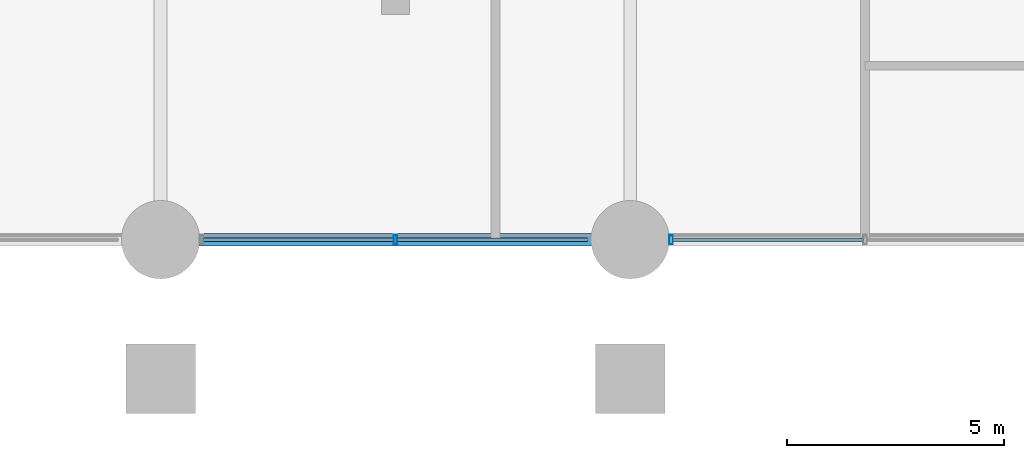
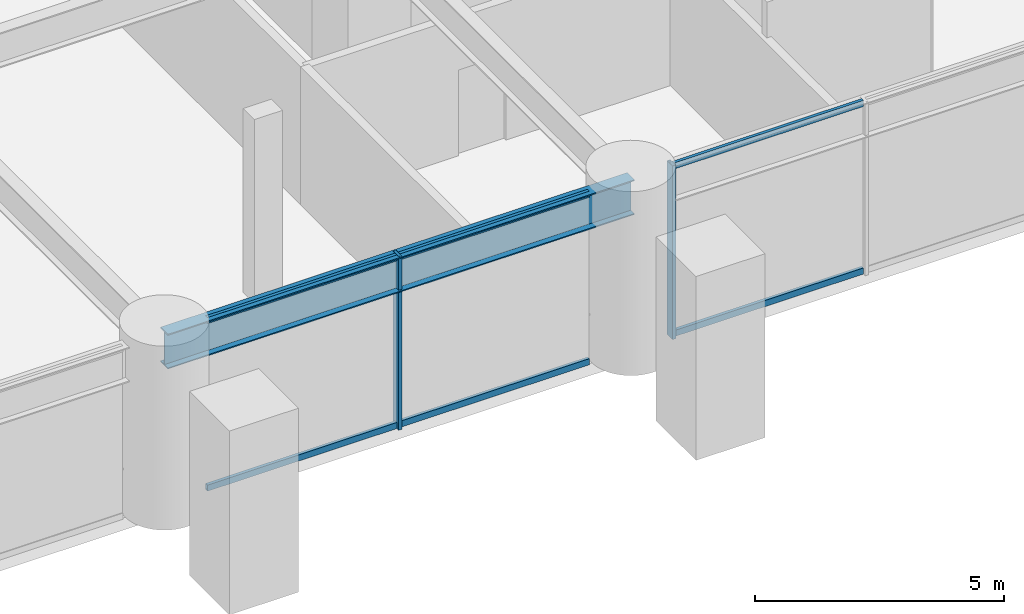
# One storey, part 3 of 31: 8 members, 1 beam, 1 element without a shape of its own.
"""IFC4 building model written with IfcOpenShell, lengths in metres."""

from ifc_helpers import new_model, si_unit, direction, frame, origin, origin_2d, place, context, subcontext, project, spatial, hollow_rectangle, i_section, extrude, material, layer, layer_set, material_profile, profile_set, type_object, element, aggregate, save


model = new_model("IFC4")

# Units and contexts
model_context = context("Model", 3, precision=1e-05, world=origin(), true_north=direction((0.0, 1.0)))
body_context = subcontext(model_context, "Body", "Model", "MODEL_VIEW")
ifc_project = project(units=[si_unit("LENGTHUNIT", "METRE"), si_unit("AREAUNIT", "SQUARE_METRE"), si_unit("VOLUMEUNIT", "CUBIC_METRE"), si_unit("PLANEANGLEUNIT", "RADIAN"), si_unit("MASSUNIT", "GRAM", prefix="KILO")], contexts=[model_context])

# Site, building, storey
site_placement = place(None, origin())
site = spatial("IfcSite", under=ifc_project, at=site_placement, CompositionType="ELEMENT")
building_placement = place(site_placement, origin())
building = spatial("IfcBuilding", under=site, at=building_placement, Name="Surkhivell Harbour Commons", CompositionType="ELEMENT")
storey_placement = place(building_placement, frame((0.0, 0.0, 4.5)))
storey = spatial("IfcBuildingStorey", under=building, at=storey_placement, Name="L01", CompositionType="ELEMENT", Elevation=4.5)

# Beam
ifc_material_1 = material(Name="Steel S460", Category="steel")
ifc_material_profile_1 = material_profile(ifc_material_1, i_section(OverallWidth=0.2939453125, OverallDepth=0.85107421875, WebThickness=0.01611328125, FlangeThickness=0.02685546875, at=origin_2d()), Name="UB838x292x226")
ifc_profile_set_1 = profile_set([ifc_material_profile_1], Name="Steel S460")
beam_type = type_object("IfcBeamType", Name="BM-SPN-838", PredefinedType="SPANDREL", material=ifc_profile_set_1)
beam_placement = place(storey_placement, frame((-21.60009765625, -21.60009765625, 3.824462890625), z_axis=(1.0, 0.0, 0.0), x_axis=(0.0, 1.0, 0.0)))
element("IfcBeam", 1, at=beam_placement, inside=storey, type_object=beam_type, Name="L01 Framing Beam (-21.6,-21.6)", PredefinedType="SPANDREL", context=body_context, shape_type="SweptSolid", body=[
    extrude(i_section(OverallWidth=0.2939453125, OverallDepth=0.85107421875, WebThickness=0.01611328125, FlangeThickness=0.02685546875, at=origin_2d()), origin(), (0.0, 0.0, 1.0), 10.800048828125),
])

# Curtain wall, members
ifc_material_2 = material(Name="Anodised pale-metal aluminium and insulated glazing", Category="aluminium")
ifc_layer = layer(ifc_material_2, 0.239990234375)
ifc_layer_set = layer_set([ifc_layer], Name="Anodised pale-metal aluminium and insulated glazing")
curtain_wall_type = type_object("IfcCurtainWallType", Name="CW-SYS-POD", PredefinedType="NOTDEFINED", material=ifc_layer_set)
curtain_wall_placement = place(storey_placement, origin())
curtain_wall = element("IfcCurtainWall", 2, at=curtain_wall_placement, inside=storey, type_object=curtain_wall_type, Name="L01 Curtain Wall CW-L01-P01", PredefinedType="NOTDEFINED")
ifc_material_3 = material(Name="Anodised pale-metal aluminium alloy 6063-T6", Category="aluminium")
ifc_material_profile_2 = material_profile(ifc_material_3, hollow_rectangle(XDim=0.074951171875, YDim=0.219970703125, WallThickness=0.00390625, at=origin_2d()), Name="ALU-MULL-75x220")
ifc_profile_set_2 = profile_set([ifc_material_profile_2], Name="Anodised pale-metal aluminium alloy 6063-T6")
member_type_1 = type_object("IfcMemberType", Name="CWM-220", PredefinedType="MULLION", material=ifc_profile_set_2)
member_1_placement = place(storey_placement, frame((-16.199951171875, -21.60009765625, 0.0), z_axis=(0.0, 0.0, 1.0), x_axis=(1.0, 0.0, 0.0)))
member_1 = element("IfcMember", 3, at=member_1_placement, type_object=member_type_1, Name="CW-POD mullion 4", PredefinedType="MULLION", context=body_context, shape_type="SweptSolid", body=[
    extrude(hollow_rectangle(XDim=0.074951171875, YDim=0.219970703125, WallThickness=0.00390625, at=origin_2d()), origin(), (0.0, 0.0, 1.0), 4.25),
])
member_2_placement = place(storey_placement, frame((-9.860595703125, -21.60009765625, 0.0), z_axis=(0.0, 0.0, 1.0), x_axis=(1.0, 0.0, 0.0)))
member_2 = element("IfcMember", 4, at=member_2_placement, type_object=member_type_1, Name="CW-POD mullion 5", PredefinedType="MULLION", context=body_context, shape_type="SweptSolid", body=[
    extrude(hollow_rectangle(XDim=0.074951171875, YDim=0.219970703125, WallThickness=0.00390625, at=origin_2d()), origin(), (0.0, 0.0, 1.0), 4.25),
])
ifc_material_profile_3 = material_profile(ifc_material_3, hollow_rectangle(XDim=0.074951171875, YDim=0.14990234375, WallThickness=0.00341796875, at=origin_2d()), Name="ALU-TRAN-75x150")
ifc_profile_set_3 = profile_set([ifc_material_profile_3], Name="Anodised pale-metal aluminium alloy 6063-T6")
member_type_2 = type_object("IfcMemberType", Name="CWT-150", PredefinedType="USERDEFINED", material=ifc_profile_set_3)
member_3_placement = place(storey_placement, frame((-20.623046875, -21.60009765625, 0.074951171875), z_axis=(1.0, 0.0, 0.0), x_axis=(0.0, 1.0, 0.0)))
member_3 = element("IfcMember", 5, at=member_3_placement, type_object=member_type_2, Name="CW-POD transom 3.1", ObjectType="TRANSOM", PredefinedType="USERDEFINED", context=body_context, shape_type="SweptSolid", body=[
    extrude(hollow_rectangle(XDim=0.074951171875, YDim=0.14990234375, WallThickness=0.00341796875, at=origin_2d()), origin(), (0.0, 0.0, 1.0), 4.385498046875),
])
member_4_placement = place(storey_placement, frame((-20.623046875, -21.60009765625, 4.175048828125), z_axis=(1.0, 0.0, 0.0), x_axis=(0.0, 1.0, 0.0)))
member_4 = element("IfcMember", 6, at=member_4_placement, type_object=member_type_2, Name="CW-POD transom 3.2", ObjectType="TRANSOM", PredefinedType="USERDEFINED", context=body_context, shape_type="SweptSolid", body=[
    extrude(hollow_rectangle(XDim=0.074951171875, YDim=0.14990234375, WallThickness=0.00341796875, at=origin_2d()), origin(), (0.0, 0.0, 1.0), 4.385498046875),
])
member_5_placement = place(storey_placement, frame((-16.16259765625, -21.60009765625, 0.074951171875), z_axis=(1.0, 0.0, 0.0), x_axis=(0.0, 1.0, 0.0)))
member_5 = element("IfcMember", 7, at=member_5_placement, type_object=member_type_2, Name="CW-POD transom 4.1", ObjectType="TRANSOM", PredefinedType="USERDEFINED", context=body_context, shape_type="SweptSolid", body=[
    extrude(hollow_rectangle(XDim=0.074951171875, YDim=0.14990234375, WallThickness=0.00341796875, at=origin_2d()), origin(), (0.0, 0.0, 1.0), 4.385498046875),
])
member_6_placement = place(storey_placement, frame((-16.16259765625, -21.60009765625, 4.175048828125), z_axis=(1.0, 0.0, 0.0), x_axis=(0.0, 1.0, 0.0)))
member_6 = element("IfcMember", 8, at=member_6_placement, type_object=member_type_2, Name="CW-POD transom 4.2", ObjectType="TRANSOM", PredefinedType="USERDEFINED", context=body_context, shape_type="SweptSolid", body=[
    extrude(hollow_rectangle(XDim=0.074951171875, YDim=0.14990234375, WallThickness=0.00341796875, at=origin_2d()), origin(), (0.0, 0.0, 1.0), 4.385498046875),
])
member_7_placement = place(storey_placement, frame((-9.822998046875, -21.60009765625, 0.074951171875), z_axis=(1.0, 0.0, 0.0), x_axis=(0.0, 1.0, 0.0)))
member_7 = element("IfcMember", 9, at=member_7_placement, type_object=member_type_2, Name="CW-POD transom 5.1", ObjectType="TRANSOM", PredefinedType="USERDEFINED", context=body_context, shape_type="SweptSolid", body=[
    extrude(hollow_rectangle(XDim=0.074951171875, YDim=0.14990234375, WallThickness=0.00341796875, at=origin_2d()), origin(), (0.0, 0.0, 1.0), 4.385498046875),
])
member_8_placement = place(storey_placement, frame((-9.822998046875, -21.60009765625, 4.175048828125), z_axis=(1.0, 0.0, 0.0), x_axis=(0.0, 1.0, 0.0)))
member_8 = element("IfcMember", 10, at=member_8_placement, type_object=member_type_2, Name="CW-POD transom 5.2", ObjectType="TRANSOM", PredefinedType="USERDEFINED", context=body_context, shape_type="SweptSolid", body=[
    extrude(hollow_rectangle(XDim=0.074951171875, YDim=0.14990234375, WallThickness=0.00341796875, at=origin_2d()), origin(), (0.0, 0.0, 1.0), 4.385498046875),
])
aggregate(curtain_wall, [member_1, member_3, member_4, member_5, member_6, member_2, member_7, member_8])

save(model, "model.ifc")
